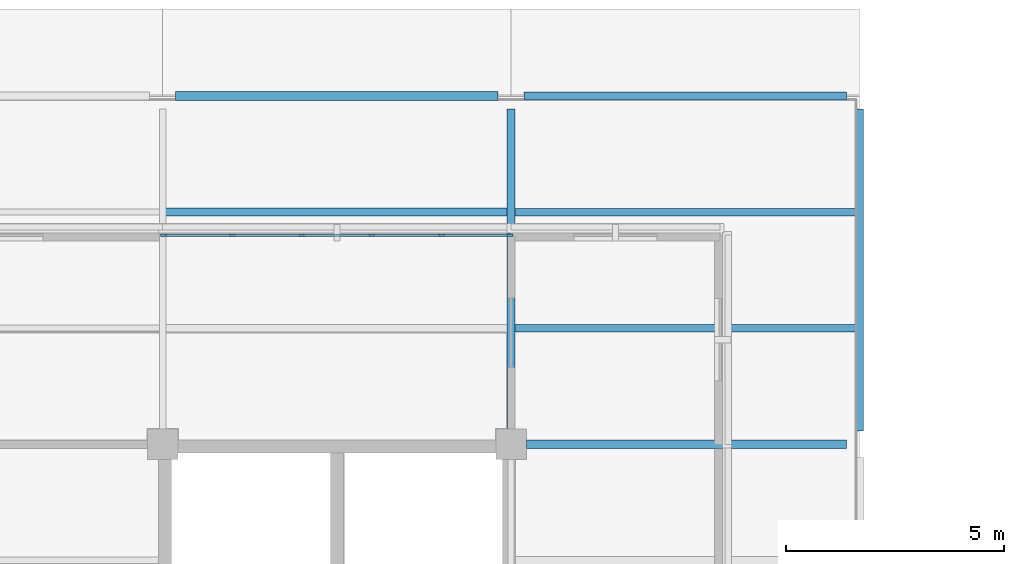
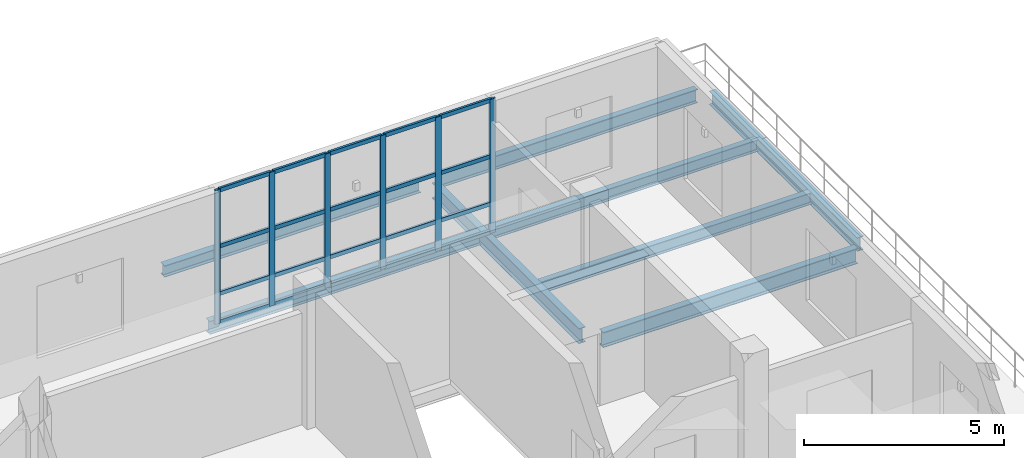
# One storey, part 6 of 24: 26 members, 8 beams, 1 element without a shape of its own.
"""IFC4 building model written with IfcOpenShell, lengths in metres."""

from ifc_helpers import new_model, si_unit, derived_unit, direction, frame, origin, origin_2d, place, context, subcontext, project, spatial, rectangle, i_section, extrude, material, layer, layer_set, material_profile, profile_set, type_object, element, aggregate, save


model = new_model("IFC4")

# Units and contexts
model_context = context("Model", 3, precision=1e-05, world=origin(), true_north=direction((0.0, 1.0)))
body_context = subcontext(model_context, "Body", "Model", "MODEL_VIEW")
ifc_project = project(units=[si_unit("LENGTHUNIT", "METRE"), si_unit("AREAUNIT", "SQUARE_METRE"), si_unit("VOLUMEUNIT", "CUBIC_METRE"), si_unit("PLANEANGLEUNIT", "RADIAN"), si_unit("MASSUNIT", "GRAM", prefix="KILO"), derived_unit("THERMALTRANSMITTANCEUNIT", [(si_unit("MASSUNIT", "GRAM", prefix="KILO"), 1), (si_unit("TIMEUNIT", "SECOND"), -3), (si_unit("THERMODYNAMICTEMPERATUREUNIT", "KELVIN"), -1)])], contexts=[model_context])

# Site, building, storey
site_placement = place(None, origin())
site = spatial("IfcSite", under=ifc_project, at=site_placement, CompositionType="ELEMENT")
building_placement = place(site_placement, origin())
building = spatial("IfcBuilding", under=site, at=building_placement, Name="Veyamyaing Civic Hall", CompositionType="ELEMENT")
storey_placement = place(building_placement, frame((0.0, 0.0, 25.739990234375)))
storey = spatial("IfcBuildingStorey", under=building, at=storey_placement, Name="L06", CompositionType="ELEMENT", Elevation=25.739990234375)

# Beams
ifc_material_1 = material(Name="Steel ASTM A992", Category="steel")
ifc_material_profile_1 = material_profile(ifc_material_1, i_section(OverallWidth=0.19189453125, OverallDepth=0.462890625, WebThickness=0.010498046875, FlangeThickness=0.017578125, FilletRadius=0.010009765625, at=origin_2d()), Name="W460X89")
ifc_profile_set_1 = profile_set([ifc_material_profile_1], Name="Steel ASTM A992")
beam_type_1 = type_object("IfcBeamType", Name="B-08", PredefinedType="BEAM", material=ifc_profile_set_1)
beam_1_placement = place(storey_placement, frame((40.0, 104.35009765625, -0.46142578125), z_axis=(0.0, 1.0, 0.0), x_axis=(-1.0, 0.0, 0.0)))
element("IfcBeam", 1, at=beam_1_placement, inside=storey, type_object=beam_type_1, Name="Girder B-08 L06 Grid 6 P-Q", PredefinedType="BEAM", context=body_context, shape_type="SweptSolid", body=[
    extrude(i_section(OverallWidth=0.19189453125, OverallDepth=0.462890625, WebThickness=0.010498046875, FlangeThickness=0.017578125, FilletRadius=0.010009765625, at=origin_2d()), origin(), (0.0, 0.0, 1.0), 7.349853515625),
])
ifc_material_profile_2 = material_profile(ifc_material_1, i_section(OverallWidth=0.2041015625, OverallDepth=0.35009765625, WebThickness=0.0078125, FlangeThickness=0.01513671875, FilletRadius=0.010009765625, at=origin_2d()), Name="W360X72")
ifc_profile_set_2 = profile_set([ifc_material_profile_2], Name="Steel ASTM A992")
beam_type_2 = type_object("IfcBeamType", Name="B-11", PredefinedType="SPANDREL", material=ifc_profile_set_2)
beam_2_placement = place(storey_placement, frame((32.300048828125, 112.0, -0.405029296875), z_axis=(1.0, 0.0, 0.0), x_axis=(0.0, 1.0, 0.0)))
element("IfcBeam", 2, at=beam_2_placement, inside=storey, type_object=beam_type_2, Name="Girder B-11 L06 Grid Q 5-6", PredefinedType="SPANDREL", context=body_context, shape_type="SweptSolid", body=[
    extrude(i_section(OverallWidth=0.2041015625, OverallDepth=0.35009765625, WebThickness=0.0078125, FlangeThickness=0.01513671875, FilletRadius=0.010009765625, at=origin_2d()), origin(), (0.0, 0.0, 1.0), 7.39990234375),
])
ifc_material_profile_3 = material_profile(ifc_material_1, i_section(OverallWidth=0.194091796875, OverallDepth=0.468994140625, WebThickness=0.0126953125, FlangeThickness=0.0205078125, FilletRadius=0.010009765625, at=origin_2d()), Name="W460X106")
ifc_profile_set_3 = profile_set([ifc_material_profile_3], Name="Steel ASTM A992")
beam_type_3 = type_object("IfcBeamType", Name="B-18", PredefinedType="BEAM", material=ifc_profile_set_3)
beam_3_placement = place(storey_placement, frame((40.35009765625, 104.0, -0.464599609375), z_axis=(1.0, 0.0, 0.0), x_axis=(0.0, 1.0, 0.0)))
element("IfcBeam", 3, at=beam_3_placement, inside=storey, type_object=beam_type_3, Name="Girder B-18 L06 Grid P 6-7", PredefinedType="BEAM", context=body_context, shape_type="SweptSolid", body=[
    extrude(i_section(OverallWidth=0.194091796875, OverallDepth=0.468994140625, WebThickness=0.0126953125, FlangeThickness=0.0205078125, FilletRadius=0.010009765625, at=origin_2d()), origin(), (0.0, 0.0, 1.0), 7.349853515625),
])
ifc_material_profile_4 = material_profile(ifc_material_1, i_section(OverallWidth=0.180908203125, OverallDepth=0.4169921875, WebThickness=0.010986328125, FlangeThickness=0.018310546875, FilletRadius=0.010009765625, at=origin_2d()), Name="W410X85")
ifc_profile_set_4 = profile_set([ifc_material_profile_4], Name="Steel ASTM A992")
beam_type_4 = type_object("IfcBeamType", Name="B-19", PredefinedType="SPANDREL", material=ifc_profile_set_4)
for number, where, z_axis, x_axis, name in (
    (4, (40.300048828125, 112.0, -0.4384765625), (1.0, 0.0, 0.0), (0.0, 1.0, 0.0), "Girder B-19 L06 Grid Q 6-7"),
    (5, (48.0, 104.300048828125, -0.4384765625), (0.0, 1.0, 0.0), (-1.0, 0.0, 0.0), "Girder B-19 L06 Grid 7 P-Q"),
):
    element("IfcBeam", number, at=place(storey_placement, frame(where, z_axis=z_axis, x_axis=x_axis)), inside=storey, type_object=beam_type_4, Name=name, PredefinedType="SPANDREL", context=body_context, shape_type="SweptSolid", body=[
        extrude(i_section(OverallWidth=0.180908203125, OverallDepth=0.4169921875, WebThickness=0.010986328125, FlangeThickness=0.018310546875, FilletRadius=0.010009765625, at=origin_2d()), origin(), (0.0, 0.0, 1.0), 7.39990234375),
    ])

# Curtain wall, members
ifc_material_2 = material(Name="Anodised aluminium 6063-T6", Category="aluminium")
ifc_layer = layer(ifc_material_2, 0.159912109375, Name="Anodised aluminium 6063-T6")
ifc_layer_set = layer_set([ifc_layer], Name="Anodised aluminium 6063-T6")
curtain_wall_type = type_object("IfcCurtainWallType", Name="CW-05", PredefinedType="NOTDEFINED", material=ifc_layer_set)
curtain_wall_placement = place(storey_placement, origin())
curtain_wall = element("IfcCurtainWall", 6, at=curtain_wall_placement, inside=storey, type_object=curtain_wall_type, Name="Executive terrace curtain wall CW-05 L06-NW-N-4", PredefinedType="NOTDEFINED")
ifc_material_profile_5 = material_profile(ifc_material_2, rectangle(XDim=0.06494140625, YDim=0.159912109375, at=origin_2d()), Name="ALU-MUL-65X160")
ifc_profile_set_5 = profile_set([ifc_material_profile_5], Name="Anodised aluminium 6063-T6")
member_type_1 = type_object("IfcMemberType", Name="CWM-01", PredefinedType="MULLION", material=ifc_profile_set_5)
member_1_placement = place(storey_placement, frame((32.032470703125, 108.800048828125, 0.0), z_axis=(0.0, 0.0, 1.0), x_axis=(0.0, 1.0, 0.0)))
member_1 = element("IfcMember", 7, at=member_1_placement, type_object=member_type_1, Name="CW-05 mullion 1", PredefinedType="MULLION", context=body_context, shape_type="SweptSolid", body=[
    extrude(rectangle(XDim=0.06494140625, YDim=0.159912109375, at=origin_2d()), origin(), (0.0, 0.0, 1.0), 4.090087890625),
])
member_2_placement = place(storey_placement, frame((33.60009765625, 108.800048828125, 0.0), z_axis=(0.0, 0.0, 1.0), x_axis=(0.0, 1.0, 0.0)))
member_2 = element("IfcMember", 8, at=member_2_placement, type_object=member_type_1, Name="CW-05 mullion 2", PredefinedType="MULLION", context=body_context, shape_type="SweptSolid", body=[
    extrude(rectangle(XDim=0.06494140625, YDim=0.159912109375, at=origin_2d()), origin(), (0.0, 0.0, 1.0), 4.090087890625),
])
member_3_placement = place(storey_placement, frame((35.199951171875, 108.800048828125, 0.0), z_axis=(0.0, 0.0, 1.0), x_axis=(0.0, 1.0, 0.0)))
member_3 = element("IfcMember", 9, at=member_3_placement, type_object=member_type_1, Name="CW-05 mullion 3", PredefinedType="MULLION", context=body_context, shape_type="SweptSolid", body=[
    extrude(rectangle(XDim=0.06494140625, YDim=0.159912109375, at=origin_2d()), origin(), (0.0, 0.0, 1.0), 4.090087890625),
])
member_4_placement = place(storey_placement, frame((36.800048828125, 108.800048828125, 0.0), z_axis=(0.0, 0.0, 1.0), x_axis=(0.0, 1.0, 0.0)))
member_4 = element("IfcMember", 10, at=member_4_placement, type_object=member_type_1, Name="CW-05 mullion 4", PredefinedType="MULLION", context=body_context, shape_type="SweptSolid", body=[
    extrude(rectangle(XDim=0.06494140625, YDim=0.159912109375, at=origin_2d()), origin(), (0.0, 0.0, 1.0), 4.090087890625),
])
member_5_placement = place(storey_placement, frame((38.39990234375, 108.800048828125, 0.0), z_axis=(0.0, 0.0, 1.0), x_axis=(0.0, 1.0, 0.0)))
member_5 = element("IfcMember", 11, at=member_5_placement, type_object=member_type_1, Name="CW-05 mullion 5", PredefinedType="MULLION", context=body_context, shape_type="SweptSolid", body=[
    extrude(rectangle(XDim=0.06494140625, YDim=0.159912109375, at=origin_2d()), origin(), (0.0, 0.0, 1.0), 4.090087890625),
])
member_6_placement = place(storey_placement, frame((39.967529296875, 108.800048828125, 0.0), z_axis=(0.0, 0.0, 1.0), x_axis=(0.0, 1.0, 0.0)))
member_6 = element("IfcMember", 12, at=member_6_placement, type_object=member_type_1, Name="CW-05 mullion 6", PredefinedType="MULLION", context=body_context, shape_type="SweptSolid", body=[
    extrude(rectangle(XDim=0.06494140625, YDim=0.159912109375, at=origin_2d()), origin(), (0.0, 0.0, 1.0), 4.090087890625),
])
ifc_material_profile_6 = material_profile(ifc_material_2, rectangle(XDim=0.06494140625, YDim=0.1201171875, at=origin_2d()), Name="ALU-TRN-65X120")
ifc_profile_set_6 = profile_set([ifc_material_profile_6], Name="Anodised aluminium 6063-T6")
member_type_2 = type_object("IfcMemberType", Name="CWT-01", PredefinedType="USERDEFINED", material=ifc_profile_set_6)
member_7_placement = place(storey_placement, frame((32.06494140625, 108.800048828125, 0.032470703125), z_axis=(1.0, 0.0, 0.0), x_axis=(0.0, 1.0, 0.0)))
member_7 = element("IfcMember", 13, at=member_7_placement, type_object=member_type_2, Name="CW-05 transom 1.1", ObjectType="TRANSOM", PredefinedType="USERDEFINED", context=body_context, shape_type="SweptSolid", body=[
    extrude(rectangle(XDim=0.06494140625, YDim=0.1201171875, at=origin_2d()), origin(), (0.0, 0.0, 1.0), 1.50244140625),
])
member_8_placement = place(storey_placement, frame((32.06494140625, 108.800048828125, 0.89990234375), z_axis=(1.0, 0.0, 0.0), x_axis=(0.0, 1.0, 0.0)))
member_8 = element("IfcMember", 14, at=member_8_placement, type_object=member_type_2, Name="CW-05 transom 1.2", ObjectType="TRANSOM", PredefinedType="USERDEFINED", context=body_context, shape_type="SweptSolid", body=[
    extrude(rectangle(XDim=0.06494140625, YDim=0.1201171875, at=origin_2d()), origin(), (0.0, 0.0, 1.0), 1.50244140625),
])
member_9_placement = place(storey_placement, frame((32.06494140625, 108.800048828125, 2.35009765625), z_axis=(1.0, 0.0, 0.0), x_axis=(0.0, 1.0, 0.0)))
member_9 = element("IfcMember", 15, at=member_9_placement, type_object=member_type_2, Name="CW-05 transom 1.3", ObjectType="TRANSOM", PredefinedType="USERDEFINED", context=body_context, shape_type="SweptSolid", body=[
    extrude(rectangle(XDim=0.06494140625, YDim=0.1201171875, at=origin_2d()), origin(), (0.0, 0.0, 1.0), 1.50244140625),
])
member_10_placement = place(storey_placement, frame((32.06494140625, 108.800048828125, 4.0576171875), z_axis=(1.0, 0.0, 0.0), x_axis=(0.0, 1.0, 0.0)))
member_10 = element("IfcMember", 16, at=member_10_placement, type_object=member_type_2, Name="CW-05 transom 1.4", ObjectType="TRANSOM", PredefinedType="USERDEFINED", context=body_context, shape_type="SweptSolid", body=[
    extrude(rectangle(XDim=0.06494140625, YDim=0.1201171875, at=origin_2d()), origin(), (0.0, 0.0, 1.0), 1.50244140625),
])
member_11_placement = place(storey_placement, frame((33.632568359375, 108.800048828125, 0.032470703125), z_axis=(1.0, 0.0, 0.0), x_axis=(0.0, 1.0, 0.0)))
member_11 = element("IfcMember", 17, at=member_11_placement, type_object=member_type_2, Name="CW-05 transom 2.1", ObjectType="TRANSOM", PredefinedType="USERDEFINED", context=body_context, shape_type="SweptSolid", body=[
    extrude(rectangle(XDim=0.06494140625, YDim=0.1201171875, at=origin_2d()), origin(), (0.0, 0.0, 1.0), 1.534912109375),
])
member_12_placement = place(storey_placement, frame((33.632568359375, 108.800048828125, 0.89990234375), z_axis=(1.0, 0.0, 0.0), x_axis=(0.0, 1.0, 0.0)))
member_12 = element("IfcMember", 18, at=member_12_placement, type_object=member_type_2, Name="CW-05 transom 2.2", ObjectType="TRANSOM", PredefinedType="USERDEFINED", context=body_context, shape_type="SweptSolid", body=[
    extrude(rectangle(XDim=0.06494140625, YDim=0.1201171875, at=origin_2d()), origin(), (0.0, 0.0, 1.0), 1.534912109375),
])
member_13_placement = place(storey_placement, frame((33.632568359375, 108.800048828125, 2.35009765625), z_axis=(1.0, 0.0, 0.0), x_axis=(0.0, 1.0, 0.0)))
member_13 = element("IfcMember", 19, at=member_13_placement, type_object=member_type_2, Name="CW-05 transom 2.3", ObjectType="TRANSOM", PredefinedType="USERDEFINED", context=body_context, shape_type="SweptSolid", body=[
    extrude(rectangle(XDim=0.06494140625, YDim=0.1201171875, at=origin_2d()), origin(), (0.0, 0.0, 1.0), 1.534912109375),
])
member_14_placement = place(storey_placement, frame((33.632568359375, 108.800048828125, 4.0576171875), z_axis=(1.0, 0.0, 0.0), x_axis=(0.0, 1.0, 0.0)))
member_14 = element("IfcMember", 20, at=member_14_placement, type_object=member_type_2, Name="CW-05 transom 2.4", ObjectType="TRANSOM", PredefinedType="USERDEFINED", context=body_context, shape_type="SweptSolid", body=[
    extrude(rectangle(XDim=0.06494140625, YDim=0.1201171875, at=origin_2d()), origin(), (0.0, 0.0, 1.0), 1.534912109375),
])
member_15_placement = place(storey_placement, frame((35.232421875, 108.800048828125, 0.032470703125), z_axis=(1.0, 0.0, 0.0), x_axis=(0.0, 1.0, 0.0)))
member_15 = element("IfcMember", 21, at=member_15_placement, type_object=member_type_2, Name="CW-05 transom 3.1", ObjectType="TRANSOM", PredefinedType="USERDEFINED", context=body_context, shape_type="SweptSolid", body=[
    extrude(rectangle(XDim=0.06494140625, YDim=0.1201171875, at=origin_2d()), origin(), (0.0, 0.0, 1.0), 1.53515625),
])
member_16_placement = place(storey_placement, frame((35.232421875, 108.800048828125, 0.89990234375), z_axis=(1.0, 0.0, 0.0), x_axis=(0.0, 1.0, 0.0)))
member_16 = element("IfcMember", 22, at=member_16_placement, type_object=member_type_2, Name="CW-05 transom 3.2", ObjectType="TRANSOM", PredefinedType="USERDEFINED", context=body_context, shape_type="SweptSolid", body=[
    extrude(rectangle(XDim=0.06494140625, YDim=0.1201171875, at=origin_2d()), origin(), (0.0, 0.0, 1.0), 1.53515625),
])
member_17_placement = place(storey_placement, frame((35.232421875, 108.800048828125, 2.35009765625), z_axis=(1.0, 0.0, 0.0), x_axis=(0.0, 1.0, 0.0)))
member_17 = element("IfcMember", 23, at=member_17_placement, type_object=member_type_2, Name="CW-05 transom 3.3", ObjectType="TRANSOM", PredefinedType="USERDEFINED", context=body_context, shape_type="SweptSolid", body=[
    extrude(rectangle(XDim=0.06494140625, YDim=0.1201171875, at=origin_2d()), origin(), (0.0, 0.0, 1.0), 1.53515625),
])
member_18_placement = place(storey_placement, frame((35.232421875, 108.800048828125, 4.0576171875), z_axis=(1.0, 0.0, 0.0), x_axis=(0.0, 1.0, 0.0)))
member_18 = element("IfcMember", 24, at=member_18_placement, type_object=member_type_2, Name="CW-05 transom 3.4", ObjectType="TRANSOM", PredefinedType="USERDEFINED", context=body_context, shape_type="SweptSolid", body=[
    extrude(rectangle(XDim=0.06494140625, YDim=0.1201171875, at=origin_2d()), origin(), (0.0, 0.0, 1.0), 1.53515625),
])
member_19_placement = place(storey_placement, frame((36.83251953125, 108.800048828125, 0.032470703125), z_axis=(1.0, 0.0, 0.0), x_axis=(0.0, 1.0, 0.0)))
member_19 = element("IfcMember", 25, at=member_19_placement, type_object=member_type_2, Name="CW-05 transom 4.1", ObjectType="TRANSOM", PredefinedType="USERDEFINED", context=body_context, shape_type="SweptSolid", body=[
    extrude(rectangle(XDim=0.06494140625, YDim=0.1201171875, at=origin_2d()), origin(), (0.0, 0.0, 1.0), 1.534912109375),
])
member_20_placement = place(storey_placement, frame((36.83251953125, 108.800048828125, 0.89990234375), z_axis=(1.0, 0.0, 0.0), x_axis=(0.0, 1.0, 0.0)))
member_20 = element("IfcMember", 26, at=member_20_placement, type_object=member_type_2, Name="CW-05 transom 4.2", ObjectType="TRANSOM", PredefinedType="USERDEFINED", context=body_context, shape_type="SweptSolid", body=[
    extrude(rectangle(XDim=0.06494140625, YDim=0.1201171875, at=origin_2d()), origin(), (0.0, 0.0, 1.0), 1.534912109375),
])
member_21_placement = place(storey_placement, frame((36.83251953125, 108.800048828125, 2.35009765625), z_axis=(1.0, 0.0, 0.0), x_axis=(0.0, 1.0, 0.0)))
member_21 = element("IfcMember", 27, at=member_21_placement, type_object=member_type_2, Name="CW-05 transom 4.3", ObjectType="TRANSOM", PredefinedType="USERDEFINED", context=body_context, shape_type="SweptSolid", body=[
    extrude(rectangle(XDim=0.06494140625, YDim=0.1201171875, at=origin_2d()), origin(), (0.0, 0.0, 1.0), 1.534912109375),
])
member_22_placement = place(storey_placement, frame((36.83251953125, 108.800048828125, 4.0576171875), z_axis=(1.0, 0.0, 0.0), x_axis=(0.0, 1.0, 0.0)))
member_22 = element("IfcMember", 28, at=member_22_placement, type_object=member_type_2, Name="CW-05 transom 4.4", ObjectType="TRANSOM", PredefinedType="USERDEFINED", context=body_context, shape_type="SweptSolid", body=[
    extrude(rectangle(XDim=0.06494140625, YDim=0.1201171875, at=origin_2d()), origin(), (0.0, 0.0, 1.0), 1.534912109375),
])
member_23_placement = place(storey_placement, frame((38.4326171875, 108.800048828125, 0.032470703125), z_axis=(1.0, 0.0, 0.0), x_axis=(0.0, 1.0, 0.0)))
member_23 = element("IfcMember", 29, at=member_23_placement, type_object=member_type_2, Name="CW-05 transom 5.1", ObjectType="TRANSOM", PredefinedType="USERDEFINED", context=body_context, shape_type="SweptSolid", body=[
    extrude(rectangle(XDim=0.06494140625, YDim=0.1201171875, at=origin_2d()), origin(), (0.0, 0.0, 1.0), 1.50244140625),
])
member_24_placement = place(storey_placement, frame((38.4326171875, 108.800048828125, 0.89990234375), z_axis=(1.0, 0.0, 0.0), x_axis=(0.0, 1.0, 0.0)))
member_24 = element("IfcMember", 30, at=member_24_placement, type_object=member_type_2, Name="CW-05 transom 5.2", ObjectType="TRANSOM", PredefinedType="USERDEFINED", context=body_context, shape_type="SweptSolid", body=[
    extrude(rectangle(XDim=0.06494140625, YDim=0.1201171875, at=origin_2d()), origin(), (0.0, 0.0, 1.0), 1.50244140625),
])
member_25_placement = place(storey_placement, frame((38.4326171875, 108.800048828125, 2.35009765625), z_axis=(1.0, 0.0, 0.0), x_axis=(0.0, 1.0, 0.0)))
member_25 = element("IfcMember", 31, at=member_25_placement, type_object=member_type_2, Name="CW-05 transom 5.3", ObjectType="TRANSOM", PredefinedType="USERDEFINED", context=body_context, shape_type="SweptSolid", body=[
    extrude(rectangle(XDim=0.06494140625, YDim=0.1201171875, at=origin_2d()), origin(), (0.0, 0.0, 1.0), 1.50244140625),
])
member_26_placement = place(storey_placement, frame((38.4326171875, 108.800048828125, 4.0576171875), z_axis=(1.0, 0.0, 0.0), x_axis=(0.0, 1.0, 0.0)))
member_26 = element("IfcMember", 32, at=member_26_placement, type_object=member_type_2, Name="CW-05 transom 5.4", ObjectType="TRANSOM", PredefinedType="USERDEFINED", context=body_context, shape_type="SweptSolid", body=[
    extrude(rectangle(XDim=0.06494140625, YDim=0.1201171875, at=origin_2d()), origin(), (0.0, 0.0, 1.0), 1.50244140625),
])
aggregate(curtain_wall, [member_1, member_2, member_3, member_4, member_5, member_6, member_7, member_8, member_9, member_10, member_11, member_12, member_13, member_14, member_15, member_16, member_17, member_18, member_19, member_20, member_21, member_22, member_23, member_24, member_25, member_26])

# Beams
ifc_material_profile_7 = material_profile(ifc_material_1, i_section(OverallWidth=0.177978515625, OverallDepth=0.406982421875, WebThickness=0.0078125, FlangeThickness=0.0126953125, FilletRadius=0.010009765625, at=origin_2d()), Name="W410X60")
ifc_profile_set_7 = profile_set([ifc_material_profile_7], Name="Steel ASTM A992")
beam_type_5 = type_object("IfcBeamType", Name="J-01", PredefinedType="JOIST", material=ifc_profile_set_7)
beam_4_placement = place(storey_placement, frame((32.071044921875, 109.333251953125, -0.43359375), z_axis=(1.0, 0.0, 0.0), x_axis=(0.0, 1.0, 0.0)))
element("IfcBeam", 33, at=beam_4_placement, inside=storey, type_object=beam_type_5, Name="Composite floor joist J-01 L06 5.14.2", PredefinedType="JOIST", context=body_context, shape_type="SweptSolid", body=[
    extrude(i_section(OverallWidth=0.177978515625, OverallDepth=0.406982421875, WebThickness=0.0078125, FlangeThickness=0.0126953125, FilletRadius=0.010009765625, at=origin_2d()), origin(), (0.0, 0.0, 1.0), 7.8349609375),
])
ifc_material_profile_8 = material_profile(ifc_material_1, i_section(OverallWidth=0.172119140625, OverallDepth=0.35791015625, WebThickness=0.0078125, FlangeThickness=0.01318359375, FilletRadius=0.010009765625, at=origin_2d()), Name="W360X57")
ifc_profile_set_8 = profile_set([ifc_material_profile_8], Name="Steel ASTM A992")
beam_type_6 = type_object("IfcBeamType", Name="J-02", PredefinedType="JOIST", material=ifc_profile_set_8)
for number, where, z_axis, x_axis, name in (
    (34, (40.093994140625, 106.666748046875, -0.408935546875), (1.0, 0.0, 0.0), (0.0, 1.0, 0.0), "Composite floor joist J-02 L06 6.14.1"),
    (35, (40.093994140625, 109.333251953125, -0.408935546875), (1.0, 0.0, 0.0), (0.0, 1.0, 0.0), "Composite floor joist J-02 L06 6.14.2"),
):
    element("IfcBeam", number, at=place(storey_placement, frame(where, z_axis=z_axis, x_axis=x_axis)), inside=storey, type_object=beam_type_6, Name=name, PredefinedType="JOIST", context=body_context, shape_type="SweptSolid", body=[
        extrude(i_section(OverallWidth=0.172119140625, OverallDepth=0.35791015625, WebThickness=0.0078125, FlangeThickness=0.01318359375, FilletRadius=0.010009765625, at=origin_2d()), origin(), (0.0, 0.0, 1.0), 7.817626953125),
    ])

save(model, "model.ifc")
